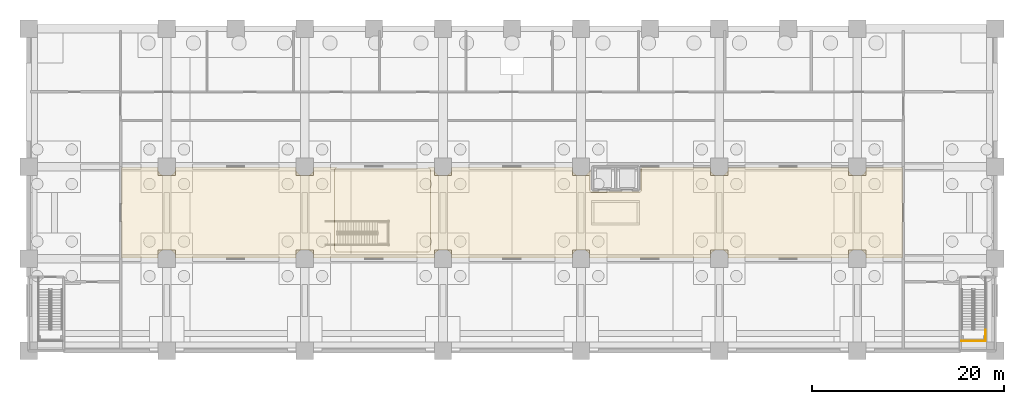
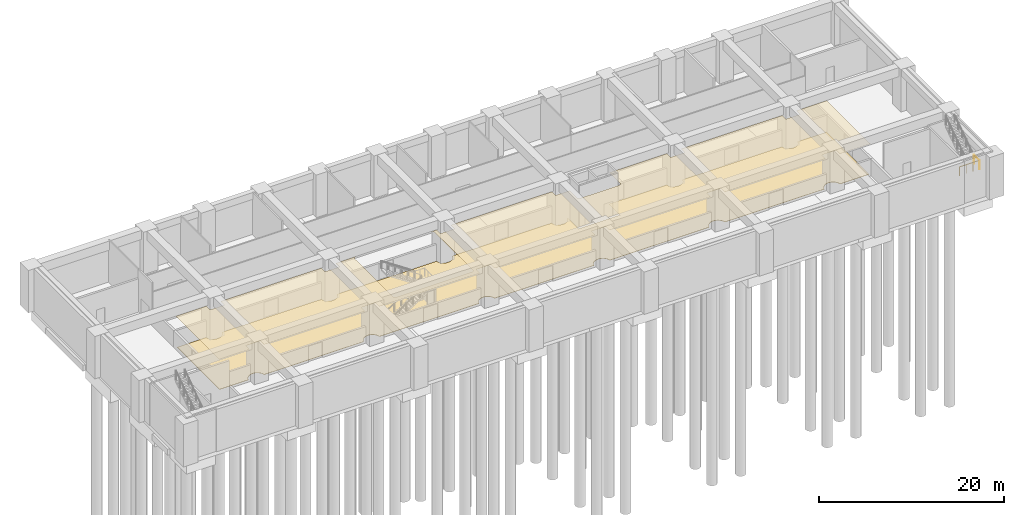
# One storey, part 11 of 13: 2 coverings, 2 railings.
"""IFC4 building model written with IfcOpenShell, lengths in metres."""

from ifc_helpers import new_model, si_unit, direction, frame, origin, origin_2d, place, context, subcontext, project, spatial, polyline, circle, outline, extrude, material, layer, layer_set, type_object, element, save


model = new_model("IFC4")

# Units and contexts
model_context = context("Model", 3, precision=1e-05, world=origin(), true_north=direction((0.0, 1.0)))
body_context = subcontext(model_context, "Body", "Model", "MODEL_VIEW")
ifc_project = project(units=[si_unit("LENGTHUNIT", "METRE"), si_unit("AREAUNIT", "SQUARE_METRE"), si_unit("VOLUMEUNIT", "CUBIC_METRE"), si_unit("PLANEANGLEUNIT", "RADIAN"), si_unit("MASSUNIT", "GRAM", prefix="KILO")], contexts=[model_context])

# Site, building, storey
site_placement = place(None, origin())
site = spatial("IfcSite", under=ifc_project, at=site_placement, CompositionType="ELEMENT")
building_placement = place(site_placement, origin())
building = spatial("IfcBuilding", under=site, at=building_placement, Name="Saffron Iwan Residences", CompositionType="ELEMENT")
storey_placement = place(building_placement, frame((0.0, 0.0, -11.39990234375)))
storey = spatial("IfcBuildingStorey", under=building, at=storey_placement, Name="B2", CompositionType="ELEMENT", Elevation=-11.39990234375)

# Railings
ifc_material_1 = material(Name="Steel S355", Category="steel")
railing_type = type_object("IfcRailingType", Name="Podium stair guard 1150", PredefinedType="GUARDRAIL", material=ifc_material_1)
railing_1_placement = place(storey_placement, frame((99.75, 2.199951171875, 3.0)))
element("IfcRailing", 1, at=railing_1_placement, inside=storey, type_object=railing_type, Name="B2 SE2 stair guard 3", PredefinedType="GUARDRAIL", context=body_context, shape_type="SweptSolid", body=[
    extrude(circle(Radius=0.02392578125, at=origin_2d()), frame((0.0, 0.0, 1.1259765625), z_axis=(0.0, -1.0, 0.0), x_axis=(1.0, 0.0, 0.0)), (0.0, 0.0, 1.0), 1.199951171875),
    extrude(circle(Radius=0.02099609375, at=origin_2d()), origin(), (0.0, 0.0, 1.0), 1.101806640625),
    extrude(circle(Radius=0.02099609375, at=origin_2d()), frame((0.0, -1.199951171875, 0.0)), (0.0, 0.0, 1.0), 1.101806640625),
])
railing_2_placement = place(storey_placement, frame((97.25, 1.050048828125, 3.0)))
element("IfcRailing", 2, at=railing_2_placement, inside=storey, type_object=railing_type, Name="B2 SE2 stair guard 4", PredefinedType="GUARDRAIL", context=body_context, shape_type="SweptSolid", body=[
    extrude(circle(Radius=0.02392578125, at=origin_2d()), frame((0.0, 0.0, 1.1259765625), z_axis=(1.0, 0.0, 0.0), x_axis=(0.0, 1.0, 0.0)), (0.0, 0.0, 1.0), 2.550048828125),
    extrude(circle(Radius=0.02099609375, at=origin_2d()), origin(), (0.0, 0.0, 1.0), 1.101806640625),
    extrude(circle(Radius=0.02099609375, at=origin_2d()), frame((0.85009765625, 0.0, 0.0)), (0.0, 0.0, 1.0), 1.101806640625),
    extrude(circle(Radius=0.02099609375, at=origin_2d()), frame((1.699951171875, 0.0, 0.0)), (0.0, 0.0, 1.0), 1.101806640625),
    extrude(circle(Radius=0.02099609375, at=origin_2d()), frame((2.550048828125, 0.0, 0.0)), (0.0, 0.0, 1.0), 1.101806640625),
])

# Coverings
ifc_material_2 = material(Name="Plasterboard ceiling")
ifc_layer_1 = layer(ifc_material_2, 0.014892578125)
ifc_layer_set_1 = layer_set([ifc_layer_1], Name="Plasterboard ceiling")
covering_type_1 = type_object("IfcCoveringType", Name="Suspended ceiling, plasterboard 15", PredefinedType="CEILING", material=ifc_layer_set_1)
covering_1_placement = place(storey_placement, frame((0.0, 0.0, 4.0849609375)))
element("IfcCovering", 3, at=covering_1_placement, inside=storey, type_object=covering_type_1, Name="Platform ceiling", PredefinedType="CEILING", context=body_context, shape_type="SweptSolid", body=[
    extrude(outline(polyline([(71.10009765625, 18.300048828125), (72.89990234375, 18.300048828125), (72.89990234375, 19.10009765625), (85.5, 19.10009765625), (85.5, 18.300048828125), (87.300048828125, 18.300048828125), (87.300048828125, 19.10009765625), (91.10009765625, 19.10009765625), (91.10009765625, 9.699951171875), (87.300048828125, 9.699951171875), (87.300048828125, 10.5), (85.5, 10.5), (85.5, 9.699951171875), (72.89990234375, 9.699951171875), (72.89990234375, 10.5), (71.10009765625, 10.5), (71.10009765625, 9.699951171875), (58.5, 9.699951171875), (58.5, 10.5), (56.699951171875, 10.5), (56.699951171875, 9.699951171875), (44.10009765625, 9.699951171875), (44.10009765625, 10.5), (42.300048828125, 10.5), (42.300048828125, 9.699951171875), (29.699951171875, 9.699951171875), (29.699951171875, 10.5), (27.89990234375, 10.5), (27.89990234375, 9.699951171875), (15.300048828125, 9.699951171875), (15.300048828125, 10.5), (13.5, 10.5), (13.5, 9.699951171875), (9.699951171875, 9.699951171875), (9.699951171875, 19.10009765625), (13.5, 19.10009765625), (13.5, 18.300048828125), (15.300048828125, 18.300048828125), (15.300048828125, 19.10009765625), (27.89990234375, 19.10009765625), (27.89990234375, 18.300048828125), (29.699951171875, 18.300048828125), (29.699951171875, 19.10009765625), (32.199951171875, 19.10009765625), (32.1708984375, 19.09912109375), (32.14208984375, 19.093994140625), (32.113037109375, 19.0869140625), (32.0859375, 19.076904296875), (32.05908203125, 19.06494140625), (32.033935546875, 19.049072265625), (32.010009765625, 19.031982421875), (31.988037109375, 19.011962890625), (31.968017578125, 18.989990234375), (31.950927734375, 18.967041015625), (31.93603515625, 18.94091796875), (31.923095703125, 18.9150390625), (31.9130859375, 18.886962890625), (31.906005859375, 18.85888671875), (31.902099609375, 18.8291015625), (31.89990234375, 18.800048828125), (31.89990234375, 10.60009765625), (31.902099609375, 10.571044921875), (31.906005859375, 10.541015625), (31.9130859375, 10.512939453125), (31.923095703125, 10.485107421875), (31.93603515625, 10.458984375), (31.950927734375, 10.43310546875), (31.968017578125, 10.409912109375), (31.988037109375, 10.387939453125), (32.010009765625, 10.367919921875), (32.033935546875, 10.35107421875), (32.05908203125, 10.3349609375), (32.0859375, 10.322998046875), (32.113037109375, 10.31298828125), (32.14208984375, 10.305908203125), (32.1708984375, 10.301025390625), (32.199951171875, 10.300048828125), (41.60009765625, 10.300048828125), (41.62890625, 10.301025390625), (41.658935546875, 10.305908203125), (41.68701171875, 10.31298828125), (41.715087890625, 10.322998046875), (41.740966796875, 10.3349609375), (41.76708984375, 10.35107421875), (41.7900390625, 10.367919921875), (41.81201171875, 10.387939453125), (41.83203125, 10.409912109375), (41.84912109375, 10.43310546875), (41.864990234375, 10.458984375), (41.876953125, 10.485107421875), (41.886962890625, 10.512939453125), (41.89404296875, 10.541015625), (41.89892578125, 10.571044921875), (41.89990234375, 10.60009765625), (41.89990234375, 18.800048828125), (41.89892578125, 18.8291015625), (41.89404296875, 18.85888671875), (41.886962890625, 18.886962890625), (41.876953125, 18.9150390625), (41.864990234375, 18.94091796875), (41.84912109375, 18.967041015625), (41.83203125, 18.989990234375), (41.81201171875, 19.011962890625), (41.7900390625, 19.031982421875), (41.76708984375, 19.049072265625), (41.740966796875, 19.06494140625), (41.715087890625, 19.076904296875), (41.68701171875, 19.0869140625), (41.658935546875, 19.093994140625), (41.62890625, 19.09912109375), (41.60009765625, 19.10009765625), (42.300048828125, 19.10009765625), (42.300048828125, 18.300048828125), (44.10009765625, 18.300048828125), (44.10009765625, 19.10009765625), (56.699951171875, 19.10009765625), (56.699951171875, 18.300048828125), (58.5, 18.300048828125), (58.5, 16.800048828125), (58.5009765625, 16.77099609375), (58.506103515625, 16.740966796875), (58.512939453125, 16.712890625), (58.52294921875, 16.68505859375), (58.534912109375, 16.658935546875), (58.551025390625, 16.633056640625), (58.568115234375, 16.610107421875), (58.587890625, 16.587890625), (58.610107421875, 16.568115234375), (58.633056640625, 16.551025390625), (58.658935546875, 16.534912109375), (58.68505859375, 16.52294921875), (58.712890625, 16.512939453125), (58.740966796875, 16.506103515625), (58.77099609375, 16.5009765625), (58.800048828125, 16.5), (63.60009765625, 16.5), (63.62890625, 16.5009765625), (63.658935546875, 16.506103515625), (63.68701171875, 16.512939453125), (63.715087890625, 16.52294921875), (63.740966796875, 16.534912109375), (63.76708984375, 16.551025390625), (63.7900390625, 16.568115234375), (63.81201171875, 16.587890625), (63.83203125, 16.610107421875), (63.84912109375, 16.633056640625), (63.864990234375, 16.658935546875), (63.876953125, 16.68505859375), (63.886962890625, 16.712890625), (63.89404296875, 16.740966796875), (63.89892578125, 16.77099609375), (63.89990234375, 16.800048828125), (63.89990234375, 19.10009765625), (71.10009765625, 19.10009765625), (71.10009765625, 18.300048828125)])), origin(), (0.0, 0.0, 1.0), 0.014892578125),
])
ifc_material_3 = material(Name="Terrazzo flooring")
ifc_layer_2 = layer(ifc_material_3, 0.0400390625)
ifc_layer_set_2 = layer_set([ifc_layer_2], Name="Terrazzo flooring")
covering_type_2 = type_object("IfcCoveringType", Name="Terrazzo flooring 40", PredefinedType="FLOORING", material=ifc_layer_set_2)
covering_2_placement = place(storey_placement, origin())
element("IfcCovering", 4, at=covering_2_placement, inside=storey, type_object=covering_type_2, Name="Platform flooring", PredefinedType="FLOORING", context=body_context, shape_type="SweptSolid", body=[
    extrude(outline(polyline([(71.02001953125, 19.0), (71.04296875, 18.909912109375), (71.075927734375, 18.81689453125), (71.117919921875, 18.72900390625), (71.1689453125, 18.64404296875), (71.22705078125, 18.56591796875), (71.29296875, 18.492919921875), (71.365966796875, 18.427001953125), (71.444091796875, 18.368896484375), (71.529052734375, 18.318115234375), (71.616943359375, 18.27587890625), (71.7099609375, 18.242919921875), (71.804931640625, 18.218994140625), (71.902099609375, 18.205078125), (72.0, 18.199951171875), (72.097900390625, 18.205078125), (72.195068359375, 18.218994140625), (72.2900390625, 18.242919921875), (72.383056640625, 18.27587890625), (72.470947265625, 18.318115234375), (72.555908203125, 18.368896484375), (72.634033203125, 18.427001953125), (72.70703125, 18.492919921875), (72.77294921875, 18.56591796875), (72.8310546875, 18.64404296875), (72.882080078125, 18.72900390625), (72.924072265625, 18.81689453125), (72.95703125, 18.909912109375), (72.97998046875, 19.0), (85.419921875, 19.0), (85.443115234375, 18.909912109375), (85.47607421875, 18.81689453125), (85.51806640625, 18.72900390625), (85.569091796875, 18.64404296875), (85.626953125, 18.56591796875), (85.693115234375, 18.492919921875), (85.76611328125, 18.427001953125), (85.843994140625, 18.368896484375), (85.928955078125, 18.318115234375), (86.01708984375, 18.27587890625), (86.110107421875, 18.242919921875), (86.205078125, 18.218994140625), (86.302001953125, 18.205078125), (86.39990234375, 18.199951171875), (86.498046875, 18.205078125), (86.594970703125, 18.218994140625), (86.68994140625, 18.242919921875), (86.782958984375, 18.27587890625), (86.87109375, 18.318115234375), (86.9560546875, 18.368896484375), (87.033935546875, 18.427001953125), (87.10693359375, 18.492919921875), (87.173095703125, 18.56591796875), (87.23095703125, 18.64404296875), (87.281982421875, 18.72900390625), (87.323974609375, 18.81689453125), (87.35693359375, 18.909912109375), (87.3798828125, 19.0), (91.0, 19.0), (91.0, 9.800048828125), (87.3798828125, 9.800048828125), (87.35693359375, 9.889892578125), (87.323974609375, 9.98291015625), (87.281982421875, 10.071044921875), (87.23095703125, 10.156005859375), (87.173095703125, 10.23388671875), (87.10693359375, 10.306884765625), (87.033935546875, 10.373046875), (86.9560546875, 10.430908203125), (86.87109375, 10.48193359375), (86.782958984375, 10.52392578125), (86.68994140625, 10.556884765625), (86.594970703125, 10.5810546875), (86.498046875, 10.594970703125), (86.39990234375, 10.60009765625), (86.302001953125, 10.594970703125), (86.205078125, 10.5810546875), (86.110107421875, 10.556884765625), (86.01708984375, 10.52392578125), (85.928955078125, 10.48193359375), (85.843994140625, 10.430908203125), (85.76611328125, 10.373046875), (85.693115234375, 10.306884765625), (85.626953125, 10.23388671875), (85.569091796875, 10.156005859375), (85.51806640625, 10.071044921875), (85.47607421875, 9.98291015625), (85.443115234375, 9.889892578125), (85.419921875, 9.800048828125), (72.97998046875, 9.800048828125), (72.95703125, 9.889892578125), (72.924072265625, 9.98291015625), (72.882080078125, 10.071044921875), (72.8310546875, 10.156005859375), (72.77294921875, 10.23388671875), (72.70703125, 10.306884765625), (72.634033203125, 10.373046875), (72.555908203125, 10.430908203125), (72.470947265625, 10.48193359375), (72.383056640625, 10.52392578125), (72.2900390625, 10.556884765625), (72.195068359375, 10.5810546875), (72.097900390625, 10.594970703125), (72.0, 10.60009765625), (71.902099609375, 10.594970703125), (71.804931640625, 10.5810546875), (71.7099609375, 10.556884765625), (71.616943359375, 10.52392578125), (71.529052734375, 10.48193359375), (71.444091796875, 10.430908203125), (71.365966796875, 10.373046875), (71.29296875, 10.306884765625), (71.22705078125, 10.23388671875), (71.1689453125, 10.156005859375), (71.117919921875, 10.071044921875), (71.075927734375, 9.98291015625), (71.04296875, 9.889892578125), (71.02001953125, 9.800048828125), (58.580078125, 9.800048828125), (58.556884765625, 9.889892578125), (58.52392578125, 9.98291015625), (58.48193359375, 10.071044921875), (58.430908203125, 10.156005859375), (58.373046875, 10.23388671875), (58.306884765625, 10.306884765625), (58.23388671875, 10.373046875), (58.156005859375, 10.430908203125), (58.071044921875, 10.48193359375), (57.98291015625, 10.52392578125), (57.889892578125, 10.556884765625), (57.794921875, 10.5810546875), (57.697998046875, 10.594970703125), (57.60009765625, 10.60009765625), (57.501953125, 10.594970703125), (57.405029296875, 10.5810546875), (57.31005859375, 10.556884765625), (57.217041015625, 10.52392578125), (57.12890625, 10.48193359375), (57.0439453125, 10.430908203125), (56.966064453125, 10.373046875), (56.89306640625, 10.306884765625), (56.826904296875, 10.23388671875), (56.76904296875, 10.156005859375), (56.718017578125, 10.071044921875), (56.676025390625, 9.98291015625), (56.64306640625, 9.889892578125), (56.6201171875, 9.800048828125), (44.179931640625, 9.800048828125), (44.156982421875, 9.889892578125), (44.1240234375, 9.98291015625), (44.08203125, 10.071044921875), (44.031005859375, 10.156005859375), (43.972900390625, 10.23388671875), (43.906982421875, 10.306884765625), (43.833984375, 10.373046875), (43.756103515625, 10.430908203125), (43.6708984375, 10.48193359375), (43.5830078125, 10.52392578125), (43.489990234375, 10.556884765625), (43.39501953125, 10.5810546875), (43.298095703125, 10.594970703125), (43.199951171875, 10.60009765625), (43.10205078125, 10.594970703125), (43.0048828125, 10.5810546875), (42.909912109375, 10.556884765625), (42.81689453125, 10.52392578125), (42.72900390625, 10.48193359375), (42.64404296875, 10.430908203125), (42.56591796875, 10.373046875), (42.492919921875, 10.306884765625), (42.427001953125, 10.23388671875), (42.368896484375, 10.156005859375), (42.318115234375, 10.071044921875), (42.27587890625, 9.98291015625), (42.242919921875, 9.889892578125), (42.219970703125, 9.800048828125), (29.780029296875, 9.800048828125), (29.757080078125, 9.889892578125), (29.72412109375, 9.98291015625), (29.681884765625, 10.071044921875), (29.631103515625, 10.156005859375), (29.572998046875, 10.23388671875), (29.507080078125, 10.306884765625), (29.43408203125, 10.373046875), (29.35595703125, 10.430908203125), (29.27099609375, 10.48193359375), (29.18310546875, 10.52392578125), (29.090087890625, 10.556884765625), (28.9951171875, 10.5810546875), (28.89794921875, 10.594970703125), (28.800048828125, 10.60009765625), (28.701904296875, 10.594970703125), (28.60498046875, 10.5810546875), (28.510009765625, 10.556884765625), (28.4169921875, 10.52392578125), (28.3291015625, 10.48193359375), (28.243896484375, 10.430908203125), (28.166015625, 10.373046875), (28.093017578125, 10.306884765625), (28.027099609375, 10.23388671875), (27.968994140625, 10.156005859375), (27.91796875, 10.071044921875), (27.8759765625, 9.98291015625), (27.843017578125, 9.889892578125), (27.820068359375, 9.800048828125), (15.3798828125, 9.800048828125), (15.35693359375, 9.889892578125), (15.323974609375, 9.98291015625), (15.281982421875, 10.071044921875), (15.23095703125, 10.156005859375), (15.173095703125, 10.23388671875), (15.10693359375, 10.306884765625), (15.033935546875, 10.373046875), (14.9560546875, 10.430908203125), (14.87109375, 10.48193359375), (14.782958984375, 10.52392578125), (14.68994140625, 10.556884765625), (14.594970703125, 10.5810546875), (14.498046875, 10.594970703125), (14.39990234375, 10.60009765625), (14.302001953125, 10.594970703125), (14.205078125, 10.5810546875), (14.110107421875, 10.556884765625), (14.01708984375, 10.52392578125), (13.928955078125, 10.48193359375), (13.843994140625, 10.430908203125), (13.76611328125, 10.373046875), (13.693115234375, 10.306884765625), (13.626953125, 10.23388671875), (13.569091796875, 10.156005859375), (13.51806640625, 10.071044921875), (13.47607421875, 9.98291015625), (13.443115234375, 9.889892578125), (13.419921875, 9.800048828125), (9.800048828125, 9.800048828125), (9.800048828125, 19.0), (13.419921875, 19.0), (13.443115234375, 18.909912109375), (13.47607421875, 18.81689453125), (13.51806640625, 18.72900390625), (13.569091796875, 18.64404296875), (13.626953125, 18.56591796875), (13.693115234375, 18.492919921875), (13.76611328125, 18.427001953125), (13.843994140625, 18.368896484375), (13.928955078125, 18.318115234375), (14.01708984375, 18.27587890625), (14.110107421875, 18.242919921875), (14.205078125, 18.218994140625), (14.302001953125, 18.205078125), (14.39990234375, 18.199951171875), (14.498046875, 18.205078125), (14.594970703125, 18.218994140625), (14.68994140625, 18.242919921875), (14.782958984375, 18.27587890625), (14.87109375, 18.318115234375), (14.9560546875, 18.368896484375), (15.033935546875, 18.427001953125), (15.10693359375, 18.492919921875), (15.173095703125, 18.56591796875), (15.23095703125, 18.64404296875), (15.281982421875, 18.72900390625), (15.323974609375, 18.81689453125), (15.35693359375, 18.909912109375), (15.3798828125, 19.0), (27.820068359375, 19.0), (27.843017578125, 18.909912109375), (27.8759765625, 18.81689453125), (27.91796875, 18.72900390625), (27.968994140625, 18.64404296875), (28.027099609375, 18.56591796875), (28.093017578125, 18.492919921875), (28.166015625, 18.427001953125), (28.243896484375, 18.368896484375), (28.3291015625, 18.318115234375), (28.4169921875, 18.27587890625), (28.510009765625, 18.242919921875), (28.60498046875, 18.218994140625), (28.701904296875, 18.205078125), (28.800048828125, 18.199951171875), (28.89794921875, 18.205078125), (28.9951171875, 18.218994140625), (29.090087890625, 18.242919921875), (29.18310546875, 18.27587890625), (29.27099609375, 18.318115234375), (29.35595703125, 18.368896484375), (29.43408203125, 18.427001953125), (29.507080078125, 18.492919921875), (29.572998046875, 18.56591796875), (29.631103515625, 18.64404296875), (29.681884765625, 18.72900390625), (29.72412109375, 18.81689453125), (29.757080078125, 18.909912109375), (29.780029296875, 19.0), (42.219970703125, 19.0), (42.242919921875, 18.909912109375), (42.27587890625, 18.81689453125), (42.318115234375, 18.72900390625), (42.368896484375, 18.64404296875), (42.427001953125, 18.56591796875), (42.492919921875, 18.492919921875), (42.56591796875, 18.427001953125), (42.64404296875, 18.368896484375), (42.72900390625, 18.318115234375), (42.81689453125, 18.27587890625), (42.909912109375, 18.242919921875), (43.0048828125, 18.218994140625), (43.10205078125, 18.205078125), (43.199951171875, 18.199951171875), (43.298095703125, 18.205078125), (43.39501953125, 18.218994140625), (43.489990234375, 18.242919921875), (43.5830078125, 18.27587890625), (43.6708984375, 18.318115234375), (43.756103515625, 18.368896484375), (43.833984375, 18.427001953125), (43.906982421875, 18.492919921875), (43.972900390625, 18.56591796875), (44.031005859375, 18.64404296875), (44.08203125, 18.72900390625), (44.1240234375, 18.81689453125), (44.156982421875, 18.909912109375), (44.179931640625, 19.0), (56.6201171875, 19.0), (56.64306640625, 18.909912109375), (56.676025390625, 18.81689453125), (56.718017578125, 18.72900390625), (56.76904296875, 18.64404296875), (56.826904296875, 18.56591796875), (56.89306640625, 18.492919921875), (56.966064453125, 18.427001953125), (57.0439453125, 18.368896484375), (57.12890625, 18.318115234375), (57.217041015625, 18.27587890625), (57.31005859375, 18.242919921875), (57.405029296875, 18.218994140625), (57.501953125, 18.205078125), (57.60009765625, 18.199951171875), (57.697998046875, 18.205078125), (57.794921875, 18.218994140625), (57.889892578125, 18.242919921875), (57.98291015625, 18.27587890625), (58.071044921875, 18.318115234375), (58.156005859375, 18.368896484375), (58.23388671875, 18.427001953125), (58.306884765625, 18.492919921875), (58.373046875, 18.56591796875), (58.430908203125, 18.64404296875), (58.48193359375, 18.72900390625), (58.52392578125, 18.81689453125), (58.556884765625, 18.909912109375), (58.580078125, 19.0), (58.60009765625, 19.0), (58.60009765625, 16.60009765625), (63.800048828125, 16.60009765625), (63.800048828125, 19.0), (71.02001953125, 19.0)])), origin(), (0.0, 0.0, 1.0), 0.039794921875),
])

save(model, "model.ifc")
